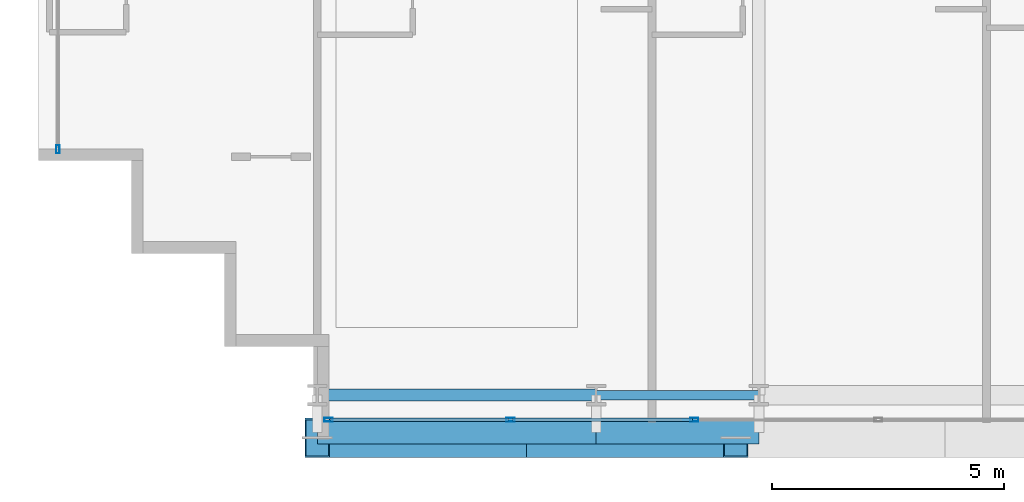
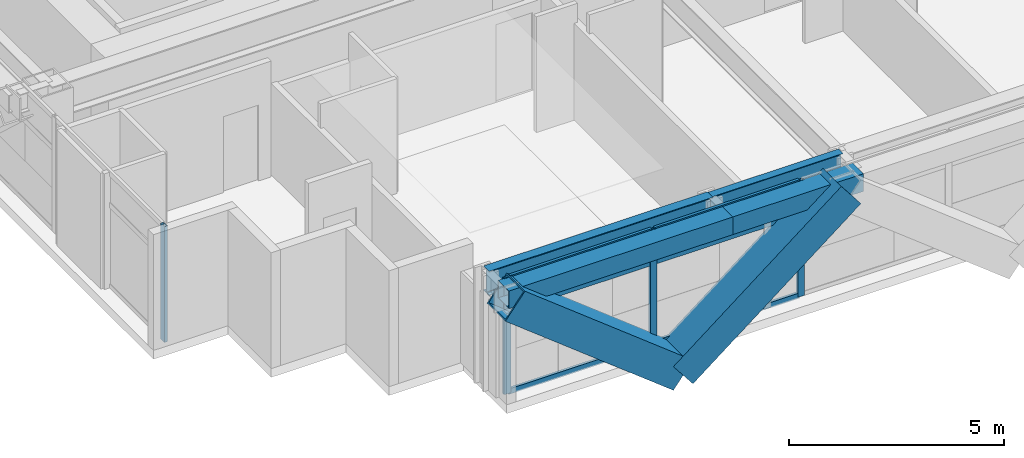
# One storey, part 2 of 35: 12 members, 4 beams, 2 elements without a shape of their own.
"""IFC4 building model written with IfcOpenShell, lengths in metres."""

from ifc_helpers import new_model, si_unit, direction, frame, origin, origin_2d, place, context, subcontext, project, spatial, hollow_rectangle, i_section, extrude, source, transform, mapped, material, layer, layer_set, material_profile, profile_set, type_object, element, aggregate, save


model = new_model("IFC4")

# Units and contexts
model_context = context("Model", 3, precision=1e-05, world=origin(), true_north=direction((0.0, 1.0)))
body_context = subcontext(model_context, "Body", "Model", "MODEL_VIEW")
ifc_project = project(units=[si_unit("LENGTHUNIT", "METRE"), si_unit("AREAUNIT", "SQUARE_METRE"), si_unit("VOLUMEUNIT", "CUBIC_METRE"), si_unit("PLANEANGLEUNIT", "RADIAN"), si_unit("MASSUNIT", "GRAM", prefix="KILO")], contexts=[model_context])

# Site, building, storey
site_placement = place(None, origin())
site = spatial("IfcSite", under=ifc_project, at=site_placement, CompositionType="ELEMENT")
building_placement = place(site_placement, origin())
building = spatial("IfcBuilding", under=site, at=building_placement, Name="Ocotamira Hotel", CompositionType="ELEMENT")
storey_placement = place(building_placement, frame((0.0, 0.0, 81.60009765625)))
storey = spatial("IfcBuildingStorey", under=building, at=storey_placement, Name="L20", CompositionType="ELEMENT", Elevation=81.60009765625)

# Beams
ifc_material_1 = material(Name="Steel ASTM A992 Grade 50", Category="steel")
ifc_material_profile_1 = material_profile(ifc_material_1, i_section(OverallWidth=0.256103515625, OverallDepth=0.693115234375, WebThickness=0.014404296875, FlangeThickness=0.023681640625, FilletRadius=0.01611328125, at=origin_2d()), Name="W27X114")
ifc_profile_set_1 = profile_set([ifc_material_profile_1], Name="Steel ASTM A992 Grade 50")
beam_type_1 = type_object("IfcBeamType", Name="BM-PRIM-W27X114", PredefinedType="BEAM", material=ifc_profile_set_1)
shared_shape_1 = source(origin(), body_context, "Body", "SweptSolid", [
    extrude(i_section(OverallWidth=0.256103515625, OverallDepth=0.693115234375, WebThickness=0.014404296875, FlangeThickness=0.023681640625, FilletRadius=0.01611328125, at=origin_2d()), origin(), (0.0, 0.0, 1.0), 6.0),
])
beam_1_placement = place(storey_placement, frame((14.0, 2.949951171875, 2.933349609375), z_axis=(1.0, 0.0, 0.0), x_axis=(0.0, 1.0, 0.0)))
element("IfcBeam", 1, at=beam_1_placement, inside=storey, type_object=beam_type_1, Name="L20 Girder Y2.95 X14-20", PredefinedType="BEAM", context=body_context, shape_type="MappedRepresentation", body=[
    mapped(shared_shape_1, transform((0.0, 0.0, 0.0), scale=1.0)),
])
ifc_material_profile_2 = material_profile(ifc_material_1, i_section(OverallWidth=0.2099609375, OverallDepth=0.537109375, WebThickness=0.010986328125, FlangeThickness=0.017333984375, FilletRadius=0.012939453125, at=origin_2d()), Name="W21X68")
ifc_profile_set_2 = profile_set([ifc_material_profile_2], Name="Steel ASTM A992 Grade 50")
beam_type_2 = type_object("IfcBeamType", Name="BM-SEC-W21X68", PredefinedType="JOIST", material=ifc_profile_set_2)
shared_shape_2 = source(origin(), body_context, "Body", "SweptSolid", [
    extrude(i_section(OverallWidth=0.2099609375, OverallDepth=0.537109375, WebThickness=0.010986328125, FlangeThickness=0.017333984375, FilletRadius=0.012939453125, at=origin_2d()), origin(), (0.0, 0.0, 1.0), 3.5),
])
beam_2_placement = place(storey_placement, frame((20.0, 2.949951171875, 3.011474609375), z_axis=(1.0, 0.0, 0.0), x_axis=(0.0, 1.0, 0.0)))
element("IfcBeam", 2, at=beam_2_placement, inside=storey, type_object=beam_type_2, Name="L20 Girder Y2.95 X20-23.5", PredefinedType="JOIST", context=body_context, shape_type="MappedRepresentation", body=[
    mapped(shared_shape_2, transform((0.0, 0.0, 0.0), scale=1.0)),
])
ifc_material_2 = material(Name="Steel ASTM A500 Grade C", Category="steel")
ifc_material_profile_3 = material_profile(ifc_material_2, hollow_rectangle(XDim=0.5, YDim=0.5, WallThickness=0.02001953125, at=origin_2d()), Name="HSS500X500X20")
ifc_profile_set_3 = profile_set([ifc_material_profile_3], Name="Steel ASTM A500 Grade C")
beam_type_3 = type_object("IfcBeamType", Name="BM-SPAN-HSS500", PredefinedType="USERDEFINED", material=ifc_profile_set_3)
shared_shape_3 = source(origin(), body_context, "Body", "SweptSolid", [
    extrude(hollow_rectangle(XDim=0.5, YDim=0.5, WallThickness=0.02001953125, at=origin_2d()), origin(), (0.0, 0.0, 1.0), 6.0),
])
beam_3_placement = place(storey_placement, frame((14.0, 2.14990234375, 3.02978515625), z_axis=(1.0, 0.0, 0.0), x_axis=(0.0, 1.0, 0.0)))
element("IfcBeam", 3, at=beam_3_placement, inside=storey, type_object=beam_type_3, Name="L20 Edge Spandrel S X14-20", ObjectType="SPANDREL", PredefinedType="USERDEFINED", context=body_context, shape_type="MappedRepresentation", body=[
    mapped(shared_shape_3, transform((0.0, 0.0, 0.0), scale=1.0)),
])
shared_shape_4 = source(origin(), body_context, "Body", "SweptSolid", [
    extrude(hollow_rectangle(XDim=0.5, YDim=0.5, WallThickness=0.02001953125, at=origin_2d()), origin(), (0.0, 0.0, 1.0), 3.5),
])
beam_4_placement = place(storey_placement, frame((20.0, 2.14990234375, 3.02978515625), z_axis=(1.0, 0.0, 0.0), x_axis=(0.0, 1.0, 0.0)))
element("IfcBeam", 4, at=beam_4_placement, inside=storey, type_object=beam_type_3, Name="L20 Edge Spandrel S X20-23.5", ObjectType="SPANDREL", PredefinedType="USERDEFINED", context=body_context, shape_type="MappedRepresentation", body=[
    mapped(shared_shape_4, transform((0.0, 0.0, 0.0), scale=1.0)),
])

# Members
ifc_material_3 = material(Name="Pale-metal coated steel ASTM A913 Grade 65", Category="steel")
ifc_material_profile_4 = material_profile(ifc_material_3, hollow_rectangle(XDim=0.85009765625, YDim=0.85009765625, WallThickness=0.035888671875, at=origin_2d()), Name="BOX850X850X36")
ifc_profile_set_4 = profile_set([ifc_material_profile_4], Name="Pale-metal coated steel ASTM A913 Grade 65")
member_type_1 = type_object("IfcMemberType", Name="MEM-EXO-BOX850", PredefinedType="BRACE", material=ifc_profile_set_4)
shared_shape_5 = source(origin(), body_context, "Body", "SweptSolid", [
    extrude(hollow_rectangle(XDim=0.85009765625, YDim=0.85009765625, WallThickness=0.035888671875, at=origin_2d()), origin(), (0.0, 0.0, 1.0), 5.71923828125),
])
for number, where, z_axis, x_axis, name in (
    (5, (18.5, 2.030029296875, -0.5), (-0.786821712922, 0.0, 0.617180356197), (0.0, -1.0, 0.0), "L20 Exoskeleton Diagrid S0.1"),
    (6, (18.5, 2.030029296875, -0.5), (0.786821712922, 0.0, 0.617180356197), (0.0, 1.0, 0.0), "L20 Exoskeleton Diagrid S0.2"),
):
    element("IfcMember", number, at=place(storey_placement, frame(where, z_axis=z_axis, x_axis=x_axis)), inside=storey, type_object=member_type_1, Name=name, PredefinedType="BRACE", context=body_context, shape_type="MappedRepresentation", body=[
        mapped(shared_shape_5, transform((0.0, 0.0, 0.0), scale=1.0)),
    ])

# Curtain wall, members
ifc_material_4 = material(Name="Anodised pale-metal aluminium and solar glass", Category="aluminium")
ifc_layer = layer(ifc_material_4, 0.179931640625)
ifc_layer_set = layer_set([ifc_layer], Name="Anodised pale-metal aluminium and solar glass")
curtain_wall_type = type_object("IfcCurtainWallType", Name="CW-SYS2-Z1", PredefinedType="NOTDEFINED", material=ifc_layer_set)
curtain_wall_1_placement = place(storey_placement, origin())
curtain_wall_1 = element("IfcCurtainWall", 7, at=curtain_wall_1_placement, inside=storey, type_object=curtain_wall_type, Name="L20 Curtain Wall CW-2 CW-L20-S1", PredefinedType="NOTDEFINED")
ifc_material_5 = material(Name="Anodised pale-metal aluminium 6063-T6", Category="aluminium")
ifc_material_profile_5 = material_profile(ifc_material_5, hollow_rectangle(XDim=0.074951171875, YDim=0.14990234375, WallThickness=0.006103515625, at=origin_2d()), Name="HSS150X75X6")
ifc_profile_set_5 = profile_set([ifc_material_profile_5], Name="Anodised pale-metal aluminium 6063-T6")
member_type_2 = type_object("IfcMemberType", Name="CWT-150X75", PredefinedType="USERDEFINED", material=ifc_profile_set_5)
shared_shape_6 = source(origin(), body_context, "Body", "SweptSolid", [
    extrude(hollow_rectangle(XDim=0.074951171875, YDim=0.14990234375, WallThickness=0.006103515625, at=origin_2d()), origin(), (0.0, 0.0, 1.0), 3.83544921875),
])
member_1_placement = place(storey_placement, frame((14.280029296875, 2.419921875, 0.037353515625), z_axis=(1.0, 0.0, 0.0), x_axis=(0.0, 1.0, 0.0)))
member_1 = element("IfcMember", 8, at=member_1_placement, type_object=member_type_2, Name="CW-2 transom 1.1", ObjectType="TRANSOM", PredefinedType="USERDEFINED", context=body_context, shape_type="MappedRepresentation", body=[
    mapped(shared_shape_6, transform((0.0, 0.0, 0.0), scale=1.0)),
])
member_2_placement = place(storey_placement, frame((14.280029296875, 2.419921875, 2.349853515625), z_axis=(1.0, 0.0, 0.0), x_axis=(0.0, 1.0, 0.0)))
member_2 = element("IfcMember", 9, at=member_2_placement, type_object=member_type_2, Name="CW-2 transom 1.2", ObjectType="TRANSOM", PredefinedType="USERDEFINED", context=body_context, shape_type="MappedRepresentation", body=[
    mapped(shared_shape_6, transform((0.0, 0.0, 0.0), scale=1.0)),
])
member_3_placement = place(storey_placement, frame((14.280029296875, 2.419921875, 3.242431640625), z_axis=(1.0, 0.0, 0.0), x_axis=(0.0, 1.0, 0.0)))
member_3 = element("IfcMember", 10, at=member_3_placement, type_object=member_type_2, Name="CW-2 transom 1.3", ObjectType="TRANSOM", PredefinedType="USERDEFINED", context=body_context, shape_type="MappedRepresentation", body=[
    mapped(shared_shape_6, transform((0.0, 0.0, 0.0), scale=1.0)),
])
shared_shape_7 = source(origin(), body_context, "Body", "SweptSolid", [
    extrude(hollow_rectangle(XDim=0.074951171875, YDim=0.14990234375, WallThickness=0.006103515625, at=origin_2d()), origin(), (0.0, 0.0, 1.0), 3.87548828125),
])
member_4_placement = place(storey_placement, frame((18.195556640625, 2.419921875, 0.037353515625), z_axis=(1.0, 0.0, 0.0), x_axis=(0.0, 1.0, 0.0)))
member_4 = element("IfcMember", 11, at=member_4_placement, type_object=member_type_2, Name="CW-2 transom 2.1", ObjectType="TRANSOM", PredefinedType="USERDEFINED", context=body_context, shape_type="MappedRepresentation", body=[
    mapped(shared_shape_7, transform((0.0, 0.0, 0.0), scale=1.0)),
])
member_5_placement = place(storey_placement, frame((18.195556640625, 2.419921875, 2.349853515625), z_axis=(1.0, 0.0, 0.0), x_axis=(0.0, 1.0, 0.0)))
member_5 = element("IfcMember", 12, at=member_5_placement, type_object=member_type_2, Name="CW-2 transom 2.2", ObjectType="TRANSOM", PredefinedType="USERDEFINED", context=body_context, shape_type="MappedRepresentation", body=[
    mapped(shared_shape_7, transform((0.0, 0.0, 0.0), scale=1.0)),
])
member_6_placement = place(storey_placement, frame((18.195556640625, 2.419921875, 3.242431640625), z_axis=(1.0, 0.0, 0.0), x_axis=(0.0, 1.0, 0.0)))
member_6 = element("IfcMember", 13, at=member_6_placement, type_object=member_type_2, Name="CW-2 transom 2.3", ObjectType="TRANSOM", PredefinedType="USERDEFINED", context=body_context, shape_type="MappedRepresentation", body=[
    mapped(shared_shape_7, transform((0.0, 0.0, 0.0), scale=1.0)),
])
ifc_material_profile_6 = material_profile(ifc_material_5, hollow_rectangle(XDim=0.080078125, YDim=0.179931640625, WallThickness=0.006103515625, at=origin_2d()), Name="HSS180X80X6")
ifc_profile_set_6 = profile_set([ifc_material_profile_6], Name="Anodised pale-metal aluminium 6063-T6")
member_type_3 = type_object("IfcMemberType", Name="CWM-180X75", PredefinedType="MULLION", material=ifc_profile_set_6)
shared_shape_8 = source(origin(), body_context, "Body", "SweptSolid", [
    extrude(hollow_rectangle(XDim=0.080078125, YDim=0.179931640625, WallThickness=0.006103515625, at=origin_2d()), origin(), (0.0, 0.0, 1.0), 3.27978515625),
])
member_7_placement = place(storey_placement, frame((14.239990234375, 2.419921875, 0.0), z_axis=(0.0, 0.0, 1.0), x_axis=(0.0, 1.0, 0.0)))
member_7 = element("IfcMember", 14, at=member_7_placement, type_object=member_type_3, Name="CW-2 mullion 1", PredefinedType="MULLION", context=body_context, shape_type="MappedRepresentation", body=[
    mapped(shared_shape_8, transform((0.0, 0.0, 0.0), scale=1.0)),
])
member_8_placement = place(storey_placement, frame((18.155517578125, 2.419921875, 0.0), z_axis=(0.0, 0.0, 1.0), x_axis=(0.0, 1.0, 0.0)))
member_8 = element("IfcMember", 15, at=member_8_placement, type_object=member_type_3, Name="CW-2 mullion 2", PredefinedType="MULLION", context=body_context, shape_type="MappedRepresentation", body=[
    mapped(shared_shape_8, transform((0.0, 0.0, 0.0), scale=1.0)),
])
member_9_placement = place(storey_placement, frame((22.111083984375, 2.419921875, 0.0), z_axis=(0.0, 0.0, 1.0), x_axis=(0.0, 1.0, 0.0)))
member_9 = element("IfcMember", 16, at=member_9_placement, type_object=member_type_3, Name="CW-2 mullion 3", PredefinedType="MULLION", context=body_context, shape_type="MappedRepresentation", body=[
    mapped(shared_shape_8, transform((0.0, 0.0, 0.0), scale=1.0)),
])
aggregate(curtain_wall_1, [member_7, member_8, member_9, member_1, member_2, member_3, member_4, member_5, member_6])

# Curtain wall, member
curtain_wall_2_placement = place(storey_placement, origin())
curtain_wall_2 = element("IfcCurtainWall", 17, at=curtain_wall_2_placement, inside=storey, type_object=curtain_wall_type, Name="L20 Curtain Wall CW-2 CW-L20-W", PredefinedType="NOTDEFINED")
member_10_placement = place(storey_placement, frame((8.419921875, 8.239990234375, 0.0), z_axis=(0.0, 0.0, 1.0), x_axis=(-1.0, 0.0, 0.0)))
member_10 = element("IfcMember", 18, at=member_10_placement, type_object=member_type_3, Name="CW-2 mullion 1", PredefinedType="MULLION", context=body_context, shape_type="MappedRepresentation", body=[
    mapped(shared_shape_8, transform((0.0, 0.0, 0.0), scale=1.0)),
])
aggregate(curtain_wall_2, [member_10])

save(model, "model.ifc")
